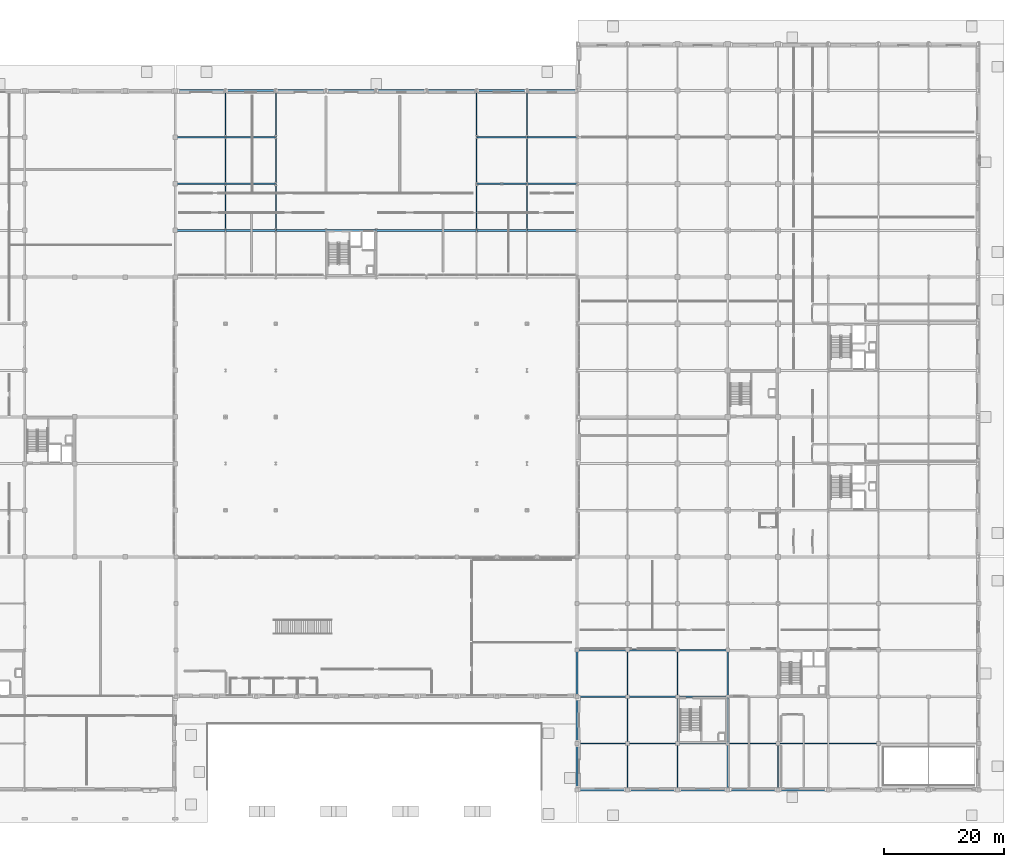
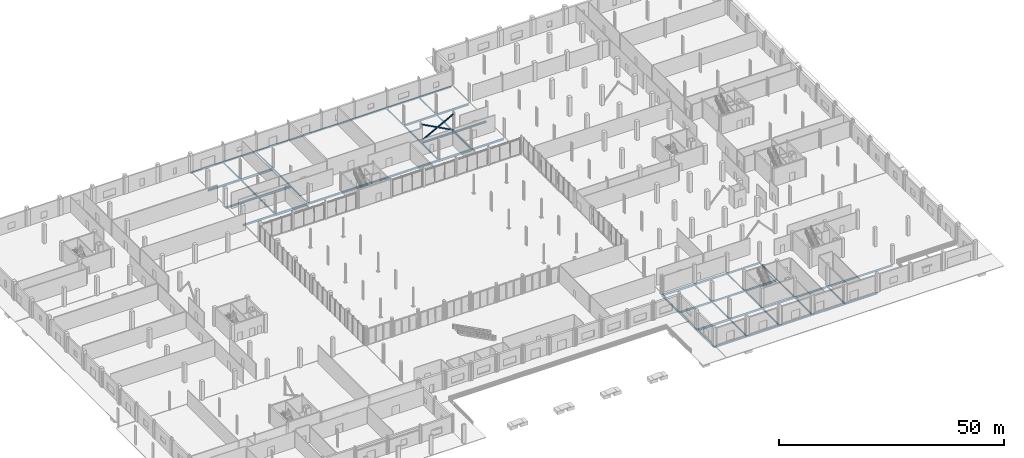
# One storey, part 33 of 80: 64 beams, 3 members.
"""IFC4 building model written with IfcOpenShell, lengths in metres."""

from ifc_helpers import new_model, si_unit, direction, frame, origin, origin_2d, place, context, subcontext, project, spatial, hollow_rectangle, i_section, extrude, material, material_profile, profile_set, type_object, element, save


model = new_model("IFC4")

# Units and contexts
model_context = context("Model", 3, precision=1e-05, world=origin(), true_north=direction((0.0, 1.0)))
body_context = subcontext(model_context, "Body", "Model", "MODEL_VIEW")
ifc_project = project(units=[si_unit("LENGTHUNIT", "METRE"), si_unit("AREAUNIT", "SQUARE_METRE"), si_unit("VOLUMEUNIT", "CUBIC_METRE"), si_unit("PLANEANGLEUNIT", "RADIAN"), si_unit("MASSUNIT", "GRAM", prefix="KILO")], contexts=[model_context])

# Site, building, storey
site_placement = place(None, origin())
site = spatial("IfcSite", under=ifc_project, at=site_placement, CompositionType="ELEMENT")
building_placement = place(site_placement, origin())
building = spatial("IfcBuilding", under=site, at=building_placement, Name="Nabrawat Pavilion Hospital", CompositionType="ELEMENT")
storey_placement = place(building_placement, origin())
storey = spatial("IfcBuildingStorey", under=building, at=storey_placement, Name="L00", CompositionType="ELEMENT", Elevation=0.0)

# Beams
ifc_material = material(Name="Steel S355", Category="steel")
ifc_material_profile_1 = material_profile(ifc_material, i_section(OverallWidth=0.300048828125, OverallDepth=0.590087890625, WebThickness=0.012939453125, FlangeThickness=0.02490234375, FilletRadius=0.027099609375, at=origin_2d()), Name="HEA 600")
ifc_profile_set_1 = profile_set([ifc_material_profile_1], Name="Steel S355")
beam_type_1 = type_object("IfcBeamType", Name="Diagnostic Long-Span Girder HEA 600", PredefinedType="USERDEFINED", material=ifc_profile_set_1)
for number, where, z_axis, x_axis, name in (
    (1, (67.219970703125, 93.60009765625, -0.574951171875), (1.0, 0.0, 0.0), (0.0, 1.0, 0.0), "L00 Primary X Girder 168"),
    (2, (109.219970703125, 93.60009765625, -0.574951171875), (1.0, 0.0, 0.0), (0.0, 1.0, 0.0), "L00 Primary X Girder 172"),
    (3, (67.219970703125, 101.39990234375, -0.574951171875), (1.0, 0.0, 0.0), (0.0, 1.0, 0.0), "L00 Primary X Girder 184"),
    (4, (67.219970703125, 109.199951171875, -0.574951171875), (1.0, 0.0, 0.0), (0.0, 1.0, 0.0), "L00 Primary X Girder 196"),
):
    element("IfcBeam", number, at=place(storey_placement, frame(where, z_axis=z_axis, x_axis=x_axis)), inside=storey, type_object=beam_type_1, Name=name, ObjectType="GIRDER", PredefinedType="USERDEFINED", context=body_context, shape_type="SweptSolid", body=[
        extrude(i_section(OverallWidth=0.300048828125, OverallDepth=0.590087890625, WebThickness=0.012939453125, FlangeThickness=0.02490234375, FilletRadius=0.027099609375, at=origin_2d()), origin(), (0.0, 0.0, 1.0), 8.360107421875),
    ])

# Members
ifc_material_profile_2 = material_profile(ifc_material, hollow_rectangle(XDim=0.25, YDim=0.25, WallThickness=0.012451171875, at=origin_2d()), Name="SHS 250x250x12.5")
ifc_profile_set_2 = profile_set([ifc_material_profile_2], Name="Steel S355")
member_type = type_object("IfcMemberType", Name="Lower Seismic Chevron Brace SHS 250x250x12.5", PredefinedType="BRACE", material=ifc_profile_set_2)
member_placement = place(storey_placement, frame((109.199951171875, 101.39990234375, 0.050048828125), z_axis=(0.881483397762, 0.0, 0.472215014025), x_axis=(0.0, 1.0, 0.0)))
element("IfcMember", 5, at=member_placement, inside=storey, type_object=member_type, Name="L00 Seismic Continuous X-Brace Diagonal 016", PredefinedType="BRACE", context=body_context, shape_type="SweptSolid", body=[
    extrude(hollow_rectangle(XDim=0.25, YDim=0.25, WallThickness=0.012451171875, at=origin_2d()), origin(), (0.0, 0.0, 1.0), 9.529541015625),
])
for number, where, z_axis, x_axis, name in (
    (6, (109.199951171875, 101.39990234375, 4.550048828125), (0.88148781778, 0.0, -0.472206763088), (0.0, 1.0, 0.0), "L00 Seismic Split X-Brace Upper Segment 017"),
    (7, (113.5234375, 101.39990234375, 2.23388671875), (0.88148781778, 0.0, -0.472206763088), (0.0, 1.0, 0.0), "L00 Seismic Split X-Brace Lower Segment 018"),
):
    element("IfcMember", number, at=place(storey_placement, frame(where, z_axis=z_axis, x_axis=x_axis)), inside=storey, type_object=member_type, Name=name, PredefinedType="BRACE", context=body_context, shape_type="SweptSolid", body=[
        extrude(hollow_rectangle(XDim=0.25, YDim=0.25, WallThickness=0.012451171875, at=origin_2d()), origin(), (0.0, 0.0, 1.0), 4.624755859375),
    ])

# Beams
ifc_material_profile_3 = material_profile(ifc_material, i_section(OverallWidth=0.300048828125, OverallDepth=0.389892578125, WebThickness=0.010986328125, FlangeThickness=0.01904296875, FilletRadius=0.027099609375, at=origin_2d()), Name="HEA 400")
ifc_profile_set_3 = profile_set([ifc_material_profile_3], Name="Steel S355")
beam_type_2 = type_object("IfcBeamType", Name="Perimeter Moment Spandrel Beam HEA 400", PredefinedType="SPANDREL", material=ifc_profile_set_3)
beam_1_placement = place(storey_placement, frame((126.02001953125, 0.0, -0.425048828125), z_axis=(1.0, 0.0, 0.0), x_axis=(0.0, 1.0, 0.0)))
element("IfcBeam", 8, at=beam_1_placement, inside=storey, type_object=beam_type_2, Name="L00 Primary X Girder 8", PredefinedType="SPANDREL", context=body_context, shape_type="SweptSolid", body=[
    extrude(i_section(OverallWidth=0.300048828125, OverallDepth=0.389892578125, WebThickness=0.010986328125, FlangeThickness=0.01904296875, FilletRadius=0.027099609375, at=origin_2d()), origin(), (0.0, 0.0, 1.0), 8.35986328125),
])
beam_2_placement = place(storey_placement, frame((134.419921875, 0.0, -0.425048828125), z_axis=(1.0, 0.0, 0.0), x_axis=(0.0, 1.0, 0.0)))
element("IfcBeam", 9, at=beam_2_placement, inside=storey, type_object=beam_type_2, Name="L00 Primary X Girder 9", PredefinedType="SPANDREL", context=body_context, shape_type="SweptSolid", body=[
    extrude(i_section(OverallWidth=0.300048828125, OverallDepth=0.389892578125, WebThickness=0.010986328125, FlangeThickness=0.01904296875, FilletRadius=0.027099609375, at=origin_2d()), origin(), (0.0, 0.0, 1.0), 8.360107421875),
])
beam_3_placement = place(storey_placement, frame((142.820068359375, 0.0, -0.425048828125), z_axis=(1.0, 0.0, 0.0), x_axis=(0.0, 1.0, 0.0)))
element("IfcBeam", 10, at=beam_3_placement, inside=storey, type_object=beam_type_2, Name="L00 Primary X Girder 10", PredefinedType="SPANDREL", context=body_context, shape_type="SweptSolid", body=[
    extrude(i_section(OverallWidth=0.300048828125, OverallDepth=0.389892578125, WebThickness=0.010986328125, FlangeThickness=0.01904296875, FilletRadius=0.027099609375, at=origin_2d()), origin(), (0.0, 0.0, 1.0), 8.35986328125),
])
beam_4_placement = place(storey_placement, frame((151.219970703125, 0.0, -0.425048828125), z_axis=(1.0, 0.0, 0.0), x_axis=(0.0, 1.0, 0.0)))
element("IfcBeam", 11, at=beam_4_placement, inside=storey, type_object=beam_type_2, Name="L00 Primary X Girder 11", PredefinedType="SPANDREL", context=body_context, shape_type="SweptSolid", body=[
    extrude(i_section(OverallWidth=0.300048828125, OverallDepth=0.389892578125, WebThickness=0.010986328125, FlangeThickness=0.01904296875, FilletRadius=0.027099609375, at=origin_2d()), origin(), (0.0, 0.0, 1.0), 8.360107421875),
])
for number, where, z_axis, x_axis, name in (
    (12, (159.6201171875, 0.0, -0.425048828125), (1.0, 0.0, 0.0), (0.0, 1.0, 0.0), "L00 Primary X Girder 12"),
    (13, (58.820068359375, 117.0, -0.47509765625), (1.0, 0.0, 0.0), (0.0, 1.0, 0.0), "L00 Primary X Girder 212"),
):
    element("IfcBeam", number, at=place(storey_placement, frame(where, z_axis=z_axis, x_axis=x_axis)), inside=storey, type_object=beam_type_2, Name=name, PredefinedType="SPANDREL", context=body_context, shape_type="SweptSolid", body=[
        extrude(i_section(OverallWidth=0.300048828125, OverallDepth=0.389892578125, WebThickness=0.010986328125, FlangeThickness=0.01904296875, FilletRadius=0.027099609375, at=origin_2d()), origin(), (0.0, 0.0, 1.0), 8.35986328125),
    ])
beam_5_placement = place(storey_placement, frame((67.219970703125, 117.0, -0.47509765625), z_axis=(1.0, 0.0, 0.0), x_axis=(0.0, 1.0, 0.0)))
element("IfcBeam", 14, at=beam_5_placement, inside=storey, type_object=beam_type_2, Name="L00 Primary X Girder 213", PredefinedType="SPANDREL", context=body_context, shape_type="SweptSolid", body=[
    extrude(i_section(OverallWidth=0.300048828125, OverallDepth=0.389892578125, WebThickness=0.010986328125, FlangeThickness=0.01904296875, FilletRadius=0.027099609375, at=origin_2d()), origin(), (0.0, 0.0, 1.0), 8.360107421875),
])
for number, where, z_axis, x_axis, name in (
    (15, (75.6201171875, 117.0, -0.47509765625), (1.0, 0.0, 0.0), (0.0, 1.0, 0.0), "L00 Primary X Girder 214"),
    (16, (84.02001953125, 117.0, -0.47509765625), (1.0, 0.0, 0.0), (0.0, 1.0, 0.0), "L00 Primary X Girder 215"),
):
    element("IfcBeam", number, at=place(storey_placement, frame(where, z_axis=z_axis, x_axis=x_axis)), inside=storey, type_object=beam_type_2, Name=name, PredefinedType="SPANDREL", context=body_context, shape_type="SweptSolid", body=[
        extrude(i_section(OverallWidth=0.300048828125, OverallDepth=0.389892578125, WebThickness=0.010986328125, FlangeThickness=0.01904296875, FilletRadius=0.027099609375, at=origin_2d()), origin(), (0.0, 0.0, 1.0), 8.35986328125),
    ])
beam_6_placement = place(storey_placement, frame((92.419921875, 117.0, -0.47509765625), z_axis=(1.0, 0.0, 0.0), x_axis=(0.0, 1.0, 0.0)))
element("IfcBeam", 17, at=beam_6_placement, inside=storey, type_object=beam_type_2, Name="L00 Primary X Girder 216", PredefinedType="SPANDREL", context=body_context, shape_type="SweptSolid", body=[
    extrude(i_section(OverallWidth=0.300048828125, OverallDepth=0.389892578125, WebThickness=0.010986328125, FlangeThickness=0.01904296875, FilletRadius=0.027099609375, at=origin_2d()), origin(), (0.0, 0.0, 1.0), 8.360107421875),
])
beam_7_placement = place(storey_placement, frame((100.820068359375, 117.0, -0.47509765625), z_axis=(1.0, 0.0, 0.0), x_axis=(0.0, 1.0, 0.0)))
element("IfcBeam", 18, at=beam_7_placement, inside=storey, type_object=beam_type_2, Name="L00 Primary X Girder 217", PredefinedType="SPANDREL", context=body_context, shape_type="SweptSolid", body=[
    extrude(i_section(OverallWidth=0.300048828125, OverallDepth=0.389892578125, WebThickness=0.010986328125, FlangeThickness=0.01904296875, FilletRadius=0.027099609375, at=origin_2d()), origin(), (0.0, 0.0, 1.0), 8.35986328125),
])
beam_8_placement = place(storey_placement, frame((109.219970703125, 117.0, -0.47509765625), z_axis=(1.0, 0.0, 0.0), x_axis=(0.0, 1.0, 0.0)))
element("IfcBeam", 19, at=beam_8_placement, inside=storey, type_object=beam_type_2, Name="L00 Primary X Girder 218", PredefinedType="SPANDREL", context=body_context, shape_type="SweptSolid", body=[
    extrude(i_section(OverallWidth=0.300048828125, OverallDepth=0.389892578125, WebThickness=0.010986328125, FlangeThickness=0.01904296875, FilletRadius=0.027099609375, at=origin_2d()), origin(), (0.0, 0.0, 1.0), 8.360107421875),
])
beam_9_placement = place(storey_placement, frame((117.6201171875, 117.0, -0.47509765625), z_axis=(1.0, 0.0, 0.0), x_axis=(0.0, 1.0, 0.0)))
element("IfcBeam", 20, at=beam_9_placement, inside=storey, type_object=beam_type_2, Name="L00 Primary X Girder 219", PredefinedType="SPANDREL", context=body_context, shape_type="SweptSolid", body=[
    extrude(i_section(OverallWidth=0.300048828125, OverallDepth=0.389892578125, WebThickness=0.010986328125, FlangeThickness=0.01904296875, FilletRadius=0.027099609375, at=origin_2d()), origin(), (0.0, 0.0, 1.0), 8.35986328125),
])
for number, where, z_axis, x_axis, name in (
    (21, (126.0, 0.02001953125, -0.425048828125), (0.0, 1.0, 0.0), (-1.0, 0.0, 0.0), "L00 Primary Y Beam 320"),
    (22, (126.0, 7.820068359375, -0.425048828125), (0.0, 1.0, 0.0), (-1.0, 0.0, 0.0), "L00 Primary Y Beam 321"),
):
    element("IfcBeam", number, at=place(storey_placement, frame(where, z_axis=z_axis, x_axis=x_axis)), inside=storey, type_object=beam_type_2, Name=name, PredefinedType="SPANDREL", context=body_context, shape_type="SweptSolid", body=[
        extrude(i_section(OverallWidth=0.300048828125, OverallDepth=0.389892578125, WebThickness=0.010986328125, FlangeThickness=0.01904296875, FilletRadius=0.027099609375, at=origin_2d()), origin(), (0.0, 0.0, 1.0), 7.760009765625),
    ])
beam_10_placement = place(storey_placement, frame((126.0, 15.6201171875, -0.455078125), z_axis=(0.0, 1.0, 0.0), x_axis=(-1.0, 0.0, 0.0)))
element("IfcBeam", 23, at=beam_10_placement, inside=storey, type_object=beam_type_2, Name="L00 Primary Y Beam 322", PredefinedType="SPANDREL", context=body_context, shape_type="SweptSolid", body=[
    extrude(i_section(OverallWidth=0.300048828125, OverallDepth=0.389892578125, WebThickness=0.010986328125, FlangeThickness=0.01904296875, FilletRadius=0.027099609375, at=origin_2d()), origin(), (0.0, 0.0, 1.0), 7.759765625),
])
ifc_material_profile_4 = material_profile(ifc_material, i_section(OverallWidth=0.300048828125, OverallDepth=0.489990234375, WebThickness=0.011962890625, FlangeThickness=0.02294921875, FilletRadius=0.027099609375, at=origin_2d()), Name="HEA 500")
ifc_profile_set_4 = profile_set([ifc_material_profile_4], Name="Steel S355")
beam_type_3 = type_object("IfcBeamType", Name="Primary Floor Girder HEA 500", PredefinedType="USERDEFINED", material=ifc_profile_set_4)
for number, where, z_axis, x_axis, name in (
    (24, (58.820068359375, 93.60009765625, -0.52490234375), (1.0, 0.0, 0.0), (0.0, 1.0, 0.0), "L00 Primary X Girder 167"),
    (25, (75.6201171875, 93.60009765625, -0.52490234375), (1.0, 0.0, 0.0), (0.0, 1.0, 0.0), "L00 Primary X Girder 169"),
    (26, (84.02001953125, 93.60009765625, -0.52490234375), (1.0, 0.0, 0.0), (0.0, 1.0, 0.0), "L00 Primary X Girder 170"),
):
    element("IfcBeam", number, at=place(storey_placement, frame(where, z_axis=z_axis, x_axis=x_axis)), inside=storey, type_object=beam_type_3, Name=name, ObjectType="GIRDER", PredefinedType="USERDEFINED", context=body_context, shape_type="SweptSolid", body=[
        extrude(i_section(OverallWidth=0.300048828125, OverallDepth=0.489990234375, WebThickness=0.011962890625, FlangeThickness=0.02294921875, FilletRadius=0.027099609375, at=origin_2d()), origin(), (0.0, 0.0, 1.0), 8.35986328125),
    ])
beam_11_placement = place(storey_placement, frame((92.419921875, 93.60009765625, -0.52490234375), z_axis=(1.0, 0.0, 0.0), x_axis=(0.0, 1.0, 0.0)))
element("IfcBeam", 27, at=beam_11_placement, inside=storey, type_object=beam_type_3, Name="L00 Primary X Girder 171", ObjectType="GIRDER", PredefinedType="USERDEFINED", context=body_context, shape_type="SweptSolid", body=[
    extrude(i_section(OverallWidth=0.300048828125, OverallDepth=0.489990234375, WebThickness=0.011962890625, FlangeThickness=0.02294921875, FilletRadius=0.027099609375, at=origin_2d()), origin(), (0.0, 0.0, 1.0), 16.760009765625),
])
for number, where, z_axis, x_axis, name in (
    (28, (117.6201171875, 93.60009765625, -0.52490234375), (1.0, 0.0, 0.0), (0.0, 1.0, 0.0), "L00 Primary X Girder 173"),
    (29, (58.820068359375, 101.39990234375, -0.52490234375), (1.0, 0.0, 0.0), (0.0, 1.0, 0.0), "L00 Primary X Girder 183"),
):
    element("IfcBeam", number, at=place(storey_placement, frame(where, z_axis=z_axis, x_axis=x_axis)), inside=storey, type_object=beam_type_3, Name=name, ObjectType="GIRDER", PredefinedType="USERDEFINED", context=body_context, shape_type="SweptSolid", body=[
        extrude(i_section(OverallWidth=0.300048828125, OverallDepth=0.489990234375, WebThickness=0.011962890625, FlangeThickness=0.02294921875, FilletRadius=0.027099609375, at=origin_2d()), origin(), (0.0, 0.0, 1.0), 8.35986328125),
    ])
beam_12_placement = place(storey_placement, frame((109.219970703125, 101.39990234375, -0.52490234375), z_axis=(1.0, 0.0, 0.0), x_axis=(0.0, 1.0, 0.0)))
element("IfcBeam", 30, at=beam_12_placement, inside=storey, type_object=beam_type_3, Name="L00 Primary X Girder 185", ObjectType="GIRDER", PredefinedType="USERDEFINED", context=body_context, shape_type="SweptSolid", body=[
    extrude(i_section(OverallWidth=0.300048828125, OverallDepth=0.489990234375, WebThickness=0.011962890625, FlangeThickness=0.02294921875, FilletRadius=0.027099609375, at=origin_2d()), origin(), (0.0, 0.0, 1.0), 8.360107421875),
])
for number, where, z_axis, x_axis, name in (
    (31, (117.6201171875, 101.39990234375, -0.52490234375), (1.0, 0.0, 0.0), (0.0, 1.0, 0.0), "L00 Primary X Girder 186"),
    (32, (58.820068359375, 109.199951171875, -0.52490234375), (1.0, 0.0, 0.0), (0.0, 1.0, 0.0), "L00 Primary X Girder 195"),
):
    element("IfcBeam", number, at=place(storey_placement, frame(where, z_axis=z_axis, x_axis=x_axis)), inside=storey, type_object=beam_type_3, Name=name, ObjectType="GIRDER", PredefinedType="USERDEFINED", context=body_context, shape_type="SweptSolid", body=[
        extrude(i_section(OverallWidth=0.300048828125, OverallDepth=0.489990234375, WebThickness=0.011962890625, FlangeThickness=0.02294921875, FilletRadius=0.027099609375, at=origin_2d()), origin(), (0.0, 0.0, 1.0), 8.35986328125),
    ])
beam_13_placement = place(storey_placement, frame((109.219970703125, 109.199951171875, -0.52490234375), z_axis=(1.0, 0.0, 0.0), x_axis=(0.0, 1.0, 0.0)))
element("IfcBeam", 33, at=beam_13_placement, inside=storey, type_object=beam_type_3, Name="L00 Primary X Girder 197", ObjectType="GIRDER", PredefinedType="USERDEFINED", context=body_context, shape_type="SweptSolid", body=[
    extrude(i_section(OverallWidth=0.300048828125, OverallDepth=0.489990234375, WebThickness=0.011962890625, FlangeThickness=0.02294921875, FilletRadius=0.027099609375, at=origin_2d()), origin(), (0.0, 0.0, 1.0), 8.360107421875),
])
beam_14_placement = place(storey_placement, frame((117.6201171875, 109.199951171875, -0.52490234375), z_axis=(1.0, 0.0, 0.0), x_axis=(0.0, 1.0, 0.0)))
element("IfcBeam", 34, at=beam_14_placement, inside=storey, type_object=beam_type_3, Name="L00 Primary X Girder 198", ObjectType="GIRDER", PredefinedType="USERDEFINED", context=body_context, shape_type="SweptSolid", body=[
    extrude(i_section(OverallWidth=0.300048828125, OverallDepth=0.489990234375, WebThickness=0.011962890625, FlangeThickness=0.02294921875, FilletRadius=0.027099609375, at=origin_2d()), origin(), (0.0, 0.0, 1.0), 8.35986328125),
])
ifc_material_profile_5 = material_profile(ifc_material, i_section(OverallWidth=0.199951171875, OverallDepth=0.5, WebThickness=0.01025390625, FlangeThickness=0.01611328125, FilletRadius=0.02099609375, at=origin_2d()), Name="IPE 500")
ifc_profile_set_5 = profile_set([ifc_material_profile_5], Name="Steel S355")
beam_type_4 = type_object("IfcBeamType", Name="Standard X Floor Girder IPE 500", PredefinedType="USERDEFINED", material=ifc_profile_set_5)
beam_15_placement = place(storey_placement, frame((134.419921875, 7.800048828125, -0.47998046875), z_axis=(1.0, 0.0, 0.0), x_axis=(0.0, 1.0, 0.0)))
element("IfcBeam", 35, at=beam_15_placement, inside=storey, type_object=beam_type_4, Name="L00 Primary X Girder 19", ObjectType="GIRDER", PredefinedType="USERDEFINED", context=body_context, shape_type="SweptSolid", body=[
    extrude(i_section(OverallWidth=0.199951171875, OverallDepth=0.5, WebThickness=0.01025390625, FlangeThickness=0.01611328125, FilletRadius=0.02099609375, at=origin_2d()), origin(), (0.0, 0.0, 1.0), 8.360107421875),
])
beam_16_placement = place(storey_placement, frame((142.820068359375, 7.800048828125, -0.47998046875), z_axis=(1.0, 0.0, 0.0), x_axis=(0.0, 1.0, 0.0)))
element("IfcBeam", 36, at=beam_16_placement, inside=storey, type_object=beam_type_4, Name="L00 Primary X Girder 20", ObjectType="GIRDER", PredefinedType="USERDEFINED", context=body_context, shape_type="SweptSolid", body=[
    extrude(i_section(OverallWidth=0.199951171875, OverallDepth=0.5, WebThickness=0.01025390625, FlangeThickness=0.01611328125, FilletRadius=0.02099609375, at=origin_2d()), origin(), (0.0, 0.0, 1.0), 8.35986328125),
])
beam_17_placement = place(storey_placement, frame((151.219970703125, 7.800048828125, -0.47998046875), z_axis=(1.0, 0.0, 0.0), x_axis=(0.0, 1.0, 0.0)))
element("IfcBeam", 37, at=beam_17_placement, inside=storey, type_object=beam_type_4, Name="L00 Primary X Girder 21", ObjectType="GIRDER", PredefinedType="USERDEFINED", context=body_context, shape_type="SweptSolid", body=[
    extrude(i_section(OverallWidth=0.199951171875, OverallDepth=0.5, WebThickness=0.01025390625, FlangeThickness=0.01611328125, FilletRadius=0.02099609375, at=origin_2d()), origin(), (0.0, 0.0, 1.0), 8.360107421875),
])
beam_18_placement = place(storey_placement, frame((159.6201171875, 7.800048828125, -0.47998046875), z_axis=(1.0, 0.0, 0.0), x_axis=(0.0, 1.0, 0.0)))
element("IfcBeam", 38, at=beam_18_placement, inside=storey, type_object=beam_type_4, Name="L00 Primary X Girder 22", ObjectType="GIRDER", PredefinedType="USERDEFINED", context=body_context, shape_type="SweptSolid", body=[
    extrude(i_section(OverallWidth=0.199951171875, OverallDepth=0.5, WebThickness=0.01025390625, FlangeThickness=0.01611328125, FilletRadius=0.02099609375, at=origin_2d()), origin(), (0.0, 0.0, 1.0), 16.759765625),
])
beam_19_placement = place(storey_placement, frame((126.02001953125, 15.60009765625, -0.47998046875), z_axis=(1.0, 0.0, 0.0), x_axis=(0.0, 1.0, 0.0)))
element("IfcBeam", 39, at=beam_19_placement, inside=storey, type_object=beam_type_4, Name="L00 Primary X Girder 37", ObjectType="GIRDER", PredefinedType="USERDEFINED", context=body_context, shape_type="SweptSolid", body=[
    extrude(i_section(OverallWidth=0.199951171875, OverallDepth=0.5, WebThickness=0.01025390625, FlangeThickness=0.01611328125, FilletRadius=0.02099609375, at=origin_2d()), origin(), (0.0, 0.0, 1.0), 8.35986328125),
])
beam_20_placement = place(storey_placement, frame((134.419921875, 15.60009765625, -0.47998046875), z_axis=(1.0, 0.0, 0.0), x_axis=(0.0, 1.0, 0.0)))
element("IfcBeam", 40, at=beam_20_placement, inside=storey, type_object=beam_type_4, Name="L00 Primary X Girder 38", ObjectType="GIRDER", PredefinedType="USERDEFINED", context=body_context, shape_type="SweptSolid", body=[
    extrude(i_section(OverallWidth=0.199951171875, OverallDepth=0.5, WebThickness=0.01025390625, FlangeThickness=0.01611328125, FilletRadius=0.02099609375, at=origin_2d()), origin(), (0.0, 0.0, 1.0), 8.360107421875),
])
beam_21_placement = place(storey_placement, frame((142.820068359375, 15.60009765625, -0.47998046875), z_axis=(1.0, 0.0, 0.0), x_axis=(0.0, 1.0, 0.0)))
element("IfcBeam", 41, at=beam_21_placement, inside=storey, type_object=beam_type_4, Name="L00 Primary X Girder 39", ObjectType="GIRDER", PredefinedType="USERDEFINED", context=body_context, shape_type="SweptSolid", body=[
    extrude(i_section(OverallWidth=0.199951171875, OverallDepth=0.5, WebThickness=0.01025390625, FlangeThickness=0.01611328125, FilletRadius=0.02099609375, at=origin_2d()), origin(), (0.0, 0.0, 1.0), 8.35986328125),
])
beam_22_placement = place(storey_placement, frame((134.419921875, 23.39990234375, -0.47998046875), z_axis=(1.0, 0.0, 0.0), x_axis=(0.0, 1.0, 0.0)))
element("IfcBeam", 42, at=beam_22_placement, inside=storey, type_object=beam_type_4, Name="L00 Primary X Girder 49", ObjectType="GIRDER", PredefinedType="USERDEFINED", context=body_context, shape_type="SweptSolid", body=[
    extrude(i_section(OverallWidth=0.199951171875, OverallDepth=0.5, WebThickness=0.01025390625, FlangeThickness=0.01611328125, FilletRadius=0.02099609375, at=origin_2d()), origin(), (0.0, 0.0, 1.0), 8.360107421875),
])
beam_23_placement = place(storey_placement, frame((142.820068359375, 23.39990234375, -0.47998046875), z_axis=(1.0, 0.0, 0.0), x_axis=(0.0, 1.0, 0.0)))
element("IfcBeam", 43, at=beam_23_placement, inside=storey, type_object=beam_type_4, Name="L00 Primary X Girder 50", ObjectType="GIRDER", PredefinedType="USERDEFINED", context=body_context, shape_type="SweptSolid", body=[
    extrude(i_section(OverallWidth=0.199951171875, OverallDepth=0.5, WebThickness=0.01025390625, FlangeThickness=0.01611328125, FilletRadius=0.02099609375, at=origin_2d()), origin(), (0.0, 0.0, 1.0), 8.35986328125),
])
ifc_material_profile_6 = material_profile(ifc_material, i_section(OverallWidth=0.179931640625, OverallDepth=0.39990234375, WebThickness=0.008544921875, FlangeThickness=0.013427734375, FilletRadius=0.02099609375, at=origin_2d()), Name="IPE 400")
ifc_profile_set_6 = profile_set([ifc_material_profile_6], Name="Steel S355")
beam_type_5 = type_object("IfcBeamType", Name="Standard Y Floor Beam IPE 400", PredefinedType="BEAM", material=ifc_profile_set_6)
beam_24_placement = place(storey_placement, frame((67.199951171875, 93.6201171875, -0.47998046875), z_axis=(0.0, 1.0, 0.0), x_axis=(-1.0, 0.0, 0.0)))
element("IfcBeam", 44, at=beam_24_placement, inside=storey, type_object=beam_type_5, Name="L00 Primary Y Beam 303", PredefinedType="BEAM", context=body_context, shape_type="SweptSolid", body=[
    extrude(i_section(OverallWidth=0.179931640625, OverallDepth=0.39990234375, WebThickness=0.008544921875, FlangeThickness=0.013427734375, FilletRadius=0.02099609375, at=origin_2d()), origin(), (0.0, 0.0, 1.0), 7.759765625),
])
for number, where, z_axis, x_axis, name in (
    (45, (67.199951171875, 101.419921875, -0.47998046875), (0.0, 1.0, 0.0), (-1.0, 0.0, 0.0), "L00 Primary Y Beam 304"),
    (46, (67.199951171875, 109.219970703125, -0.47998046875), (0.0, 1.0, 0.0), (-1.0, 0.0, 0.0), "L00 Primary Y Beam 305"),
):
    element("IfcBeam", number, at=place(storey_placement, frame(where, z_axis=z_axis, x_axis=x_axis)), inside=storey, type_object=beam_type_5, Name=name, PredefinedType="BEAM", context=body_context, shape_type="SweptSolid", body=[
        extrude(i_section(OverallWidth=0.179931640625, OverallDepth=0.39990234375, WebThickness=0.008544921875, FlangeThickness=0.013427734375, FilletRadius=0.02099609375, at=origin_2d()), origin(), (0.0, 0.0, 1.0), 7.760009765625),
    ])
beam_25_placement = place(storey_placement, frame((75.60009765625, 93.6201171875, -0.47998046875), z_axis=(0.0, 1.0, 0.0), x_axis=(-1.0, 0.0, 0.0)))
element("IfcBeam", 47, at=beam_25_placement, inside=storey, type_object=beam_type_5, Name="L00 Primary Y Beam 307", PredefinedType="BEAM", context=body_context, shape_type="SweptSolid", body=[
    extrude(i_section(OverallWidth=0.179931640625, OverallDepth=0.39990234375, WebThickness=0.008544921875, FlangeThickness=0.013427734375, FilletRadius=0.02099609375, at=origin_2d()), origin(), (0.0, 0.0, 1.0), 7.759765625),
])
for number, where, z_axis, x_axis, name in (
    (48, (75.60009765625, 101.419921875, -0.47998046875), (0.0, 1.0, 0.0), (-1.0, 0.0, 0.0), "L00 Primary Y Beam 308"),
    (49, (75.60009765625, 109.219970703125, -0.47998046875), (0.0, 1.0, 0.0), (-1.0, 0.0, 0.0), "L00 Primary Y Beam 309"),
):
    element("IfcBeam", number, at=place(storey_placement, frame(where, z_axis=z_axis, x_axis=x_axis)), inside=storey, type_object=beam_type_5, Name=name, PredefinedType="BEAM", context=body_context, shape_type="SweptSolid", body=[
        extrude(i_section(OverallWidth=0.179931640625, OverallDepth=0.39990234375, WebThickness=0.008544921875, FlangeThickness=0.013427734375, FilletRadius=0.02099609375, at=origin_2d()), origin(), (0.0, 0.0, 1.0), 7.760009765625),
    ])
beam_26_placement = place(storey_placement, frame((109.199951171875, 93.6201171875, -0.47998046875), z_axis=(0.0, 1.0, 0.0), x_axis=(-1.0, 0.0, 0.0)))
element("IfcBeam", 50, at=beam_26_placement, inside=storey, type_object=beam_type_5, Name="L00 Primary Y Beam 313", PredefinedType="BEAM", context=body_context, shape_type="SweptSolid", body=[
    extrude(i_section(OverallWidth=0.179931640625, OverallDepth=0.39990234375, WebThickness=0.008544921875, FlangeThickness=0.013427734375, FilletRadius=0.02099609375, at=origin_2d()), origin(), (0.0, 0.0, 1.0), 7.759765625),
])
for number, where, z_axis, x_axis, name in (
    (51, (109.199951171875, 101.419921875, -0.47998046875), (0.0, 1.0, 0.0), (-1.0, 0.0, 0.0), "L00 Primary Y Beam 314"),
    (52, (109.199951171875, 109.219970703125, -0.47998046875), (0.0, 1.0, 0.0), (-1.0, 0.0, 0.0), "L00 Primary Y Beam 315"),
):
    element("IfcBeam", number, at=place(storey_placement, frame(where, z_axis=z_axis, x_axis=x_axis)), inside=storey, type_object=beam_type_5, Name=name, PredefinedType="BEAM", context=body_context, shape_type="SweptSolid", body=[
        extrude(i_section(OverallWidth=0.179931640625, OverallDepth=0.39990234375, WebThickness=0.008544921875, FlangeThickness=0.013427734375, FilletRadius=0.02099609375, at=origin_2d()), origin(), (0.0, 0.0, 1.0), 7.760009765625),
    ])
beam_27_placement = place(storey_placement, frame((117.60009765625, 93.6201171875, -0.47998046875), z_axis=(0.0, 1.0, 0.0), x_axis=(-1.0, 0.0, 0.0)))
element("IfcBeam", 53, at=beam_27_placement, inside=storey, type_object=beam_type_5, Name="L00 Primary Y Beam 317", PredefinedType="BEAM", context=body_context, shape_type="SweptSolid", body=[
    extrude(i_section(OverallWidth=0.179931640625, OverallDepth=0.39990234375, WebThickness=0.008544921875, FlangeThickness=0.013427734375, FilletRadius=0.02099609375, at=origin_2d()), origin(), (0.0, 0.0, 1.0), 7.759765625),
])
for number, where, z_axis, x_axis, name in (
    (54, (117.60009765625, 101.419921875, -0.47998046875), (0.0, 1.0, 0.0), (-1.0, 0.0, 0.0), "L00 Primary Y Beam 318"),
    (55, (117.60009765625, 109.219970703125, -0.47998046875), (0.0, 1.0, 0.0), (-1.0, 0.0, 0.0), "L00 Primary Y Beam 319"),
    (56, (134.39990234375, 0.02001953125, -0.429931640625), (0.0, 1.0, 0.0), (-1.0, 0.0, 0.0), "L00 Primary Y Beam 336"),
    (57, (134.39990234375, 7.820068359375, -0.429931640625), (0.0, 1.0, 0.0), (-1.0, 0.0, 0.0), "L00 Primary Y Beam 337"),
):
    element("IfcBeam", number, at=place(storey_placement, frame(where, z_axis=z_axis, x_axis=x_axis)), inside=storey, type_object=beam_type_5, Name=name, PredefinedType="BEAM", context=body_context, shape_type="SweptSolid", body=[
        extrude(i_section(OverallWidth=0.179931640625, OverallDepth=0.39990234375, WebThickness=0.008544921875, FlangeThickness=0.013427734375, FilletRadius=0.02099609375, at=origin_2d()), origin(), (0.0, 0.0, 1.0), 7.760009765625),
    ])
beam_28_placement = place(storey_placement, frame((134.39990234375, 15.6201171875, -0.429931640625), z_axis=(0.0, 1.0, 0.0), x_axis=(-1.0, 0.0, 0.0)))
element("IfcBeam", 58, at=beam_28_placement, inside=storey, type_object=beam_type_5, Name="L00 Primary Y Beam 338", PredefinedType="BEAM", context=body_context, shape_type="SweptSolid", body=[
    extrude(i_section(OverallWidth=0.179931640625, OverallDepth=0.39990234375, WebThickness=0.008544921875, FlangeThickness=0.013427734375, FilletRadius=0.02099609375, at=origin_2d()), origin(), (0.0, 0.0, 1.0), 7.759765625),
])
for number, where, z_axis, x_axis, name in (
    (59, (142.800048828125, 0.02001953125, -0.429931640625), (0.0, 1.0, 0.0), (-1.0, 0.0, 0.0), "L00 Primary Y Beam 352"),
    (60, (142.800048828125, 7.820068359375, -0.429931640625), (0.0, 1.0, 0.0), (-1.0, 0.0, 0.0), "L00 Primary Y Beam 353"),
):
    element("IfcBeam", number, at=place(storey_placement, frame(where, z_axis=z_axis, x_axis=x_axis)), inside=storey, type_object=beam_type_5, Name=name, PredefinedType="BEAM", context=body_context, shape_type="SweptSolid", body=[
        extrude(i_section(OverallWidth=0.179931640625, OverallDepth=0.39990234375, WebThickness=0.008544921875, FlangeThickness=0.013427734375, FilletRadius=0.02099609375, at=origin_2d()), origin(), (0.0, 0.0, 1.0), 7.760009765625),
    ])
beam_29_placement = place(storey_placement, frame((142.800048828125, 15.6201171875, -0.429931640625), z_axis=(0.0, 1.0, 0.0), x_axis=(-1.0, 0.0, 0.0)))
element("IfcBeam", 61, at=beam_29_placement, inside=storey, type_object=beam_type_5, Name="L00 Primary Y Beam 354", PredefinedType="BEAM", context=body_context, shape_type="SweptSolid", body=[
    extrude(i_section(OverallWidth=0.179931640625, OverallDepth=0.39990234375, WebThickness=0.008544921875, FlangeThickness=0.013427734375, FilletRadius=0.02099609375, at=origin_2d()), origin(), (0.0, 0.0, 1.0), 7.759765625),
])
for number, where, z_axis, x_axis, name in (
    (62, (151.199951171875, 0.02001953125, -0.429931640625), (0.0, 1.0, 0.0), (-1.0, 0.0, 0.0), "L00 Primary Y Beam 368"),
    (63, (151.199951171875, 7.820068359375, -0.429931640625), (0.0, 1.0, 0.0), (-1.0, 0.0, 0.0), "L00 Primary Y Beam 369"),
):
    element("IfcBeam", number, at=place(storey_placement, frame(where, z_axis=z_axis, x_axis=x_axis)), inside=storey, type_object=beam_type_5, Name=name, PredefinedType="BEAM", context=body_context, shape_type="SweptSolid", body=[
        extrude(i_section(OverallWidth=0.179931640625, OverallDepth=0.39990234375, WebThickness=0.008544921875, FlangeThickness=0.013427734375, FilletRadius=0.02099609375, at=origin_2d()), origin(), (0.0, 0.0, 1.0), 7.760009765625),
    ])
beam_30_placement = place(storey_placement, frame((151.199951171875, 15.6201171875, -0.429931640625), z_axis=(0.0, 1.0, 0.0), x_axis=(-1.0, 0.0, 0.0)))
element("IfcBeam", 64, at=beam_30_placement, inside=storey, type_object=beam_type_5, Name="L00 Primary Y Beam 370", PredefinedType="BEAM", context=body_context, shape_type="SweptSolid", body=[
    extrude(i_section(OverallWidth=0.179931640625, OverallDepth=0.39990234375, WebThickness=0.008544921875, FlangeThickness=0.013427734375, FilletRadius=0.02099609375, at=origin_2d()), origin(), (0.0, 0.0, 1.0), 7.759765625),
])
beam_31_placement = place(storey_placement, frame((159.60009765625, 0.02001953125, -0.429931640625), z_axis=(0.0, 1.0, 0.0), x_axis=(-1.0, 0.0, 0.0)))
element("IfcBeam", 65, at=beam_31_placement, inside=storey, type_object=beam_type_5, Name="L00 Primary Y Beam 384", PredefinedType="BEAM", context=body_context, shape_type="SweptSolid", body=[
    extrude(i_section(OverallWidth=0.179931640625, OverallDepth=0.39990234375, WebThickness=0.008544921875, FlangeThickness=0.013427734375, FilletRadius=0.02099609375, at=origin_2d()), origin(), (0.0, 0.0, 1.0), 7.760009765625),
])
ifc_material_profile_7 = material_profile(ifc_material, i_section(OverallWidth=0.219970703125, OverallDepth=0.60009765625, WebThickness=0.011962890625, FlangeThickness=0.01904296875, FilletRadius=0.02392578125, at=origin_2d()), Name="IPE 600")
ifc_profile_set_7 = profile_set([ifc_material_profile_7], Name="Steel S355")
beam_type_6 = type_object("IfcBeamType", Name="Wide-Bay Floor Girder IPE 600", PredefinedType="USERDEFINED", material=ifc_profile_set_7)
for number, where, z_axis, x_axis, name in (
    (66, (126.02001953125, 7.800048828125, -0.530029296875), (1.0, 0.0, 0.0), (0.0, 1.0, 0.0), "L00 Primary X Girder 18"),
    (67, (126.02001953125, 23.39990234375, -0.530029296875), (1.0, 0.0, 0.0), (0.0, 1.0, 0.0), "L00 Primary X Girder 48"),
):
    element("IfcBeam", number, at=place(storey_placement, frame(where, z_axis=z_axis, x_axis=x_axis)), inside=storey, type_object=beam_type_6, Name=name, ObjectType="GIRDER", PredefinedType="USERDEFINED", context=body_context, shape_type="SweptSolid", body=[
        extrude(i_section(OverallWidth=0.219970703125, OverallDepth=0.60009765625, WebThickness=0.011962890625, FlangeThickness=0.01904296875, FilletRadius=0.02392578125, at=origin_2d()), origin(), (0.0, 0.0, 1.0), 8.35986328125),
    ])

save(model, "model.ifc")
